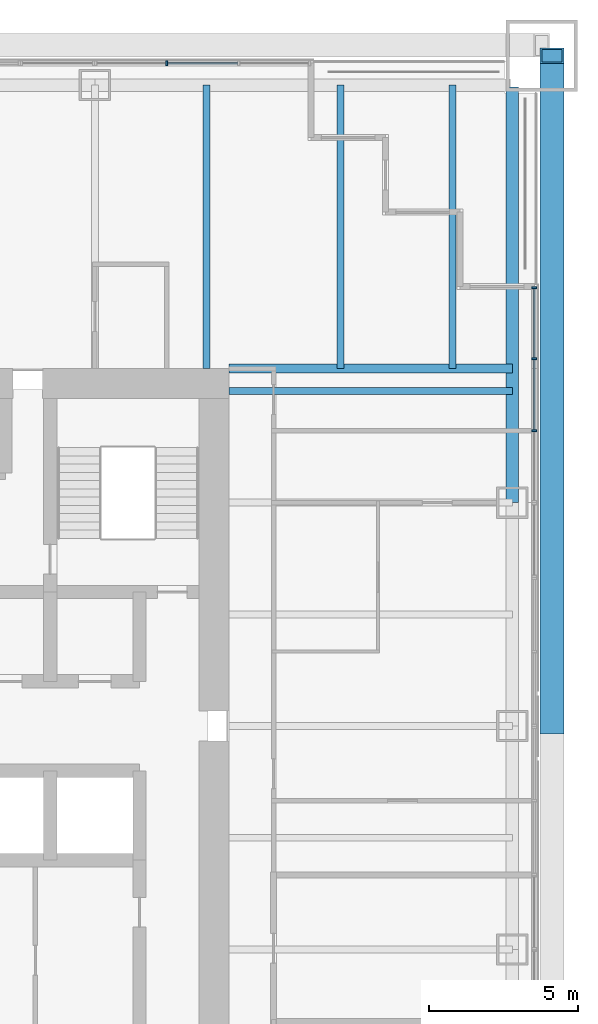
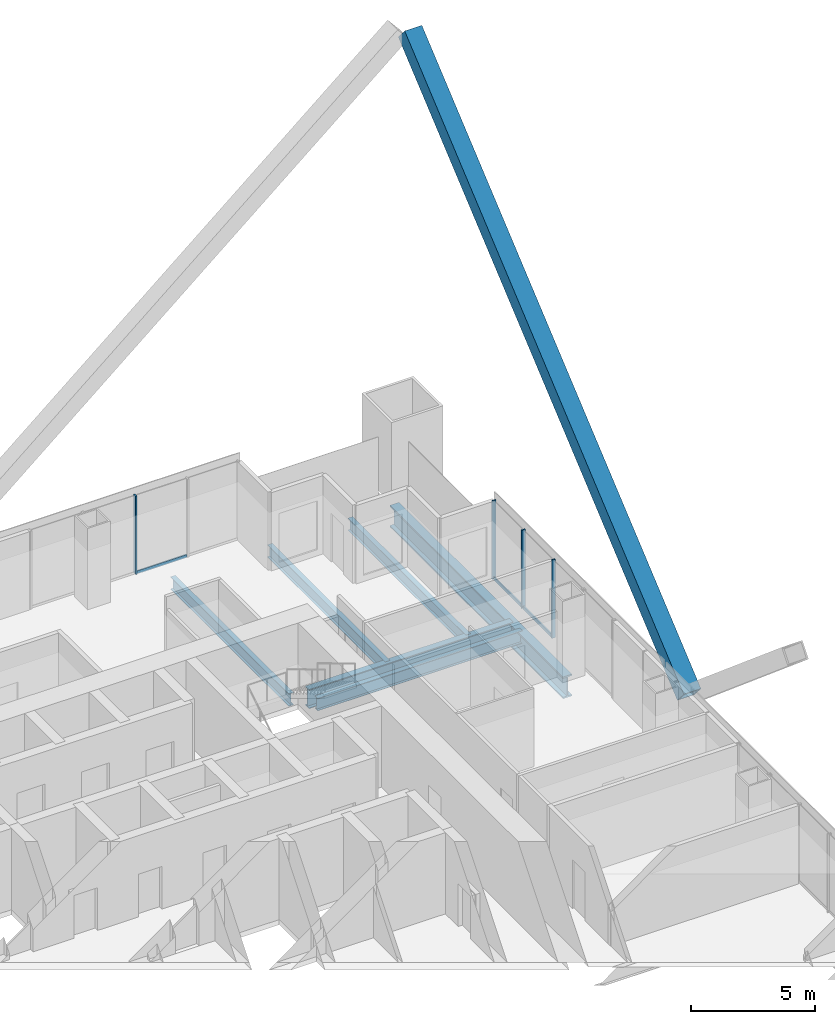
# One storey, part 11 of 19: 8 members, 6 beams, 2 elements without a shape of their own.
"""IFC4 building model written with IfcOpenShell, lengths in metres."""

from ifc_helpers import new_model, si_unit, direction, frame, origin, origin_2d, place, context, subcontext, project, spatial, rectangle, hollow_rectangle, i_section, extrude, material, material_profile, profile_set, type_object, element, aggregate, save


model = new_model("IFC4")

# Units and contexts
model_context = context("Model", 3, precision=1e-05, world=origin(), true_north=direction((0.0, 1.0)))
body_context = subcontext(model_context, "Body", "Model", "MODEL_VIEW")
ifc_project = project(units=[si_unit("LENGTHUNIT", "METRE"), si_unit("AREAUNIT", "SQUARE_METRE"), si_unit("VOLUMEUNIT", "CUBIC_METRE"), si_unit("PLANEANGLEUNIT", "RADIAN"), si_unit("MASSUNIT", "GRAM", prefix="KILO")], contexts=[model_context])

# Site, building, storey
site_placement = place(None, origin())
site = spatial("IfcSite", under=ifc_project, at=site_placement, CompositionType="ELEMENT")
building_placement = place(site_placement, origin())
building = spatial("IfcBuilding", under=site, at=building_placement, Name="Tarangal Relay Tower", CompositionType="ELEMENT")
storey_placement = place(building_placement, frame((0.0, 0.0, 193.89990234375)))
storey = spatial("IfcBuildingStorey", under=building, at=storey_placement, Name="L40", CompositionType="ELEMENT", Elevation=193.89990234375)

# Beams
ifc_material_1 = material(Name="Steel ASTM A992", Category="steel")
ifc_material_profile_1 = material_profile(ifc_material_1, i_section(OverallWidth=0.227783203125, OverallDepth=0.60205078125, WebThickness=0.010498046875, FlangeThickness=0.014892578125, at=origin_2d()), Name="W24X68")
ifc_profile_set_1 = profile_set([ifc_material_profile_1], Name="Steel ASTM A992")
beam_type_1 = type_object("IfcBeamType", Name="Corner beam W24X68", PredefinedType="JOIST", material=ifc_profile_set_1)
for number, where, z_axis, x_axis, name in (
    (1, (15.75, 12.0, -0.450927734375), (0.0, 1.0, 0.0), (-1.0, 0.0, 0.0), "Corner beam CB11 N L40"),
    (2, (19.5, 12.0, -0.450927734375), (0.0, 1.0, 0.0), (-1.0, 0.0, 0.0), "Corner beam CB11 N L40"),
):
    element("IfcBeam", number, at=place(storey_placement, frame(where, z_axis=z_axis, x_axis=x_axis)), inside=storey, type_object=beam_type_1, Name=name, PredefinedType="JOIST", context=body_context, shape_type="SweptSolid", body=[
        extrude(i_section(OverallWidth=0.227783203125, OverallDepth=0.60205078125, WebThickness=0.010498046875, FlangeThickness=0.014892578125, at=origin_2d()), origin(), (0.0, 0.0, 1.0), 9.514892578125),
    ])
ifc_material_profile_2 = material_profile(ifc_material_1, i_section(OverallWidth=0.307373046875, OverallDepth=0.9423828125, WebThickness=0.022216796875, FlangeThickness=0.039794921875, at=origin_2d()), Name="W36X232")
ifc_profile_set_2 = profile_set([ifc_material_profile_2], Name="Steel ASTM A992")
beam_type_2 = type_object("IfcBeamType", Name="Corner girder W36X232", PredefinedType="BEAM", material=ifc_profile_set_2)
beam_1_placement = place(storey_placement, frame((12.0, 12.0, -0.62109375), z_axis=(1.0, 0.0, 0.0), x_axis=(0.0, 1.0, 0.0)))
element("IfcBeam", 3, at=beam_1_placement, inside=storey, type_object=beam_type_2, Name="Corner girder CG4 N L40", PredefinedType="BEAM", context=body_context, shape_type="SweptSolid", body=[
    extrude(i_section(OverallWidth=0.307373046875, OverallDepth=0.9423828125, WebThickness=0.022216796875, FlangeThickness=0.039794921875, at=origin_2d()), origin(), (0.0, 0.0, 1.0), 9.514892578125),
])
ifc_material_profile_3 = material_profile(ifc_material_1, i_section(OverallWidth=0.41650390625, OverallDepth=1.0693359375, WebThickness=0.0390625, FlangeThickness=0.070068359375, at=origin_2d()), Name="W40X503")
ifc_profile_set_3 = profile_set([ifc_material_profile_3], Name="Steel ASTM A992")
beam_type_3 = type_object("IfcBeamType", Name="Edge girder W40X503", PredefinedType="SPANDREL", material=ifc_profile_set_3)
beam_2_placement = place(storey_placement, frame((21.514892578125, 21.449951171875, -0.6845703125), z_axis=(0.0, -1.0, 0.0), x_axis=(1.0, 0.0, 0.0)))
element("IfcBeam", 4, at=beam_2_placement, inside=storey, type_object=beam_type_3, Name="Edge girder EG8 E L40", PredefinedType="SPANDREL", context=body_context, shape_type="SweptSolid", body=[
    extrude(i_section(OverallWidth=0.41650390625, OverallDepth=1.0693359375, WebThickness=0.0390625, FlangeThickness=0.070068359375, at=origin_2d()), origin(), (0.0, 0.0, 1.0), 13.949951171875),
])
ifc_material_profile_4 = material_profile(ifc_material_1, i_section(OverallWidth=0.22900390625, OverallDepth=0.612060546875, WebThickness=0.011962890625, FlangeThickness=0.01953125, at=origin_2d()), Name="W24X84")
ifc_profile_set_4 = profile_set([ifc_material_profile_4], Name="Steel ASTM A992")
beam_type_4 = type_object("IfcBeamType", Name="Floor beam W24X84", PredefinedType="BEAM", material=ifc_profile_set_4)
for number, where, z_axis, x_axis, name in (
    (5, (11.25, 12.0, -0.455810546875), (0.0, 1.0, 0.0), (-1.0, 0.0, 0.0), "Floor beam RB12 N L40"),
    (6, (12.0, 11.25, -0.455810546875), (1.0, 0.0, 0.0), (0.0, 1.0, 0.0), "Floor beam RB12 E L40"),
):
    element("IfcBeam", number, at=place(storey_placement, frame(where, z_axis=z_axis, x_axis=x_axis)), inside=storey, type_object=beam_type_4, Name=name, PredefinedType="BEAM", context=body_context, shape_type="SweptSolid", body=[
        extrude(i_section(OverallWidth=0.22900390625, OverallDepth=0.612060546875, WebThickness=0.011962890625, FlangeThickness=0.01953125, at=origin_2d()), origin(), (0.0, 0.0, 1.0), 9.514892578125),
    ])

# Member
ifc_material_2 = material(Name="Steel ASTM A572 Grade 50", Category="steel")
ifc_material_profile_5 = material_profile(ifc_material_2, hollow_rectangle(XDim=0.800048828125, YDim=0.800048828125, WallThickness=0.06494140625, at=origin_2d()), Name="BOX800X800X65")
ifc_profile_set_5 = profile_set([ifc_material_profile_5], Name="Steel ASTM A572 Grade 50")
member_type_1 = type_object("IfcMemberType", Name="Mega brace BOX800X800X65", PredefinedType="BRACE", material=ifc_profile_set_5)
member_1_placement = place(storey_placement, frame((22.85009765625, 0.0, 3.0), z_axis=(0.0, 0.764029915847, 0.645180817826), x_axis=(-1.0, 0.0, 0.0)))
element("IfcMember", 7, at=member_1_placement, inside=storey, type_object=member_type_1, Name="Mega brace MB3 E face module 1", PredefinedType="BRACE", context=body_context, shape_type="SweptSolid", body=[
    extrude(hollow_rectangle(XDim=0.800048828125, YDim=0.800048828125, WallThickness=0.06494140625, at=origin_2d()), origin(), (0.0, 0.0, 1.0), 29.44921875),
])

# Curtain wall, member
ifc_material_3 = material(Name="Unitised curtain wall, dark glass and black aluminium", Category="aluminium")
curtain_wall_type = type_object("IfcCurtainWallType", Name="Curtain wall CW-A", PredefinedType="USERDEFINED", material=ifc_material_3)
curtain_wall_1_placement = place(storey_placement, origin())
curtain_wall_1 = element("IfcCurtainWall", 8, at=curtain_wall_1_placement, inside=storey, type_object=curtain_wall_type, Name="Curtain wall CW-A N facade L40", ObjectType="UNITISED CURTAIN WALL", PredefinedType="USERDEFINED")
ifc_material_4 = material(Name="Black anodised aluminium mullion", Category="aluminium")
ifc_material_profile_6 = material_profile(ifc_material_4, rectangle(XDim=0.175048828125, YDim=0.06494140625, at=origin_2d()), Name="CW-AM 65X175")
ifc_profile_set_6 = profile_set([ifc_material_profile_6], Name="Black anodised aluminium mullion")
member_type_2 = type_object("IfcMemberType", Name="Mullion CW-A 65 x 175", PredefinedType="MULLION", material=ifc_profile_set_6)
member_2_placement = place(storey_placement, frame((9.916748046875, 22.25, 0.0), z_axis=(0.0, 0.0, 1.0), x_axis=(0.0, 1.0, 0.0)))
member_2 = element("IfcMember", 9, at=member_2_placement, type_object=member_type_2, Name="CW-A mullion 2", PredefinedType="MULLION", context=body_context, shape_type="SweptSolid", body=[
    extrude(rectangle(XDim=0.175048828125, YDim=0.06494140625, at=origin_2d()), origin(), (0.0, 0.0, 1.0), 3.85009765625),
])

# Curtain wall, members
curtain_wall_2_placement = place(storey_placement, origin())
curtain_wall_2 = element("IfcCurtainWall", 10, at=curtain_wall_2_placement, inside=storey, type_object=curtain_wall_type, Name="Curtain wall CW-A E facade L40", ObjectType="UNITISED CURTAIN WALL", PredefinedType="USERDEFINED")
member_3_placement = place(storey_placement, frame((22.25, 14.717529296875, 0.0), z_axis=(0.0, 0.0, 1.0), x_axis=(1.0, 0.0, 0.0)))
member_3 = element("IfcMember", 11, at=member_3_placement, type_object=member_type_2, Name="CW-A mullion 1", PredefinedType="MULLION", context=body_context, shape_type="SweptSolid", body=[
    extrude(rectangle(XDim=0.175048828125, YDim=0.06494140625, at=origin_2d()), origin(), (0.0, 0.0, 1.0), 3.85009765625),
])
member_4_placement = place(storey_placement, frame((22.25, 12.333251953125, 0.0), z_axis=(0.0, 0.0, 1.0), x_axis=(1.0, 0.0, 0.0)))
member_4 = element("IfcMember", 12, at=member_4_placement, type_object=member_type_2, Name="CW-A mullion 2", PredefinedType="MULLION", context=body_context, shape_type="SweptSolid", body=[
    extrude(rectangle(XDim=0.175048828125, YDim=0.06494140625, at=origin_2d()), origin(), (0.0, 0.0, 1.0), 3.85009765625),
])
member_5_placement = place(storey_placement, frame((22.25, 9.916748046875, 0.0), z_axis=(0.0, 0.0, 1.0), x_axis=(1.0, 0.0, 0.0)))
member_5 = element("IfcMember", 13, at=member_5_placement, type_object=member_type_2, Name="CW-A mullion 3", PredefinedType="MULLION", context=body_context, shape_type="SweptSolid", body=[
    extrude(rectangle(XDim=0.175048828125, YDim=0.06494140625, at=origin_2d()), origin(), (0.0, 0.0, 1.0), 3.85009765625),
])

# Member
ifc_material_5 = material(Name="Black anodised aluminium transom", Category="aluminium")
ifc_material_profile_7 = material_profile(ifc_material_5, rectangle(XDim=0.06494140625, YDim=0.14990234375, at=origin_2d()), Name="CW-AT 65X150")
ifc_profile_set_7 = profile_set([ifc_material_profile_7], Name="Black anodised aluminium transom")
member_type_3 = type_object("IfcMemberType", Name="Transom CW-A 65 x 150", PredefinedType="USERDEFINED", material=ifc_profile_set_7)
member_6_placement = place(storey_placement, frame((9.94921875, 22.25, 0.03271484375), z_axis=(1.0, 0.0, 0.0), x_axis=(0.0, 1.0, 0.0)))
member_6 = element("IfcMember", 14, at=member_6_placement, type_object=member_type_3, Name="CW-A transom 2.1", ObjectType="TRANSOM", PredefinedType="USERDEFINED", context=body_context, shape_type="SweptSolid", body=[
    extrude(rectangle(XDim=0.06494140625, YDim=0.14990234375, at=origin_2d()), origin(), (0.0, 0.0, 1.0), 2.3515625),
])

aggregate(curtain_wall_1, [member_2, member_6])

member_7_placement = place(storey_placement, frame((22.25, 14.68505859375, 0.03271484375), z_axis=(0.0, -1.0, 0.0), x_axis=(1.0, 0.0, 0.0)))
member_7 = element("IfcMember", 15, at=member_7_placement, type_object=member_type_3, Name="CW-A transom 1.1", ObjectType="TRANSOM", PredefinedType="USERDEFINED", context=body_context, shape_type="SweptSolid", body=[
    extrude(rectangle(XDim=0.06494140625, YDim=0.14990234375, at=origin_2d()), origin(), (0.0, 0.0, 1.0), 2.3193359375),
])

member_8_placement = place(storey_placement, frame((22.25, 12.30078125, 0.03271484375), z_axis=(0.0, -1.0, 0.0), x_axis=(1.0, 0.0, 0.0)))
member_8 = element("IfcMember", 16, at=member_8_placement, type_object=member_type_3, Name="CW-A transom 2.1", ObjectType="TRANSOM", PredefinedType="USERDEFINED", context=body_context, shape_type="SweptSolid", body=[
    extrude(rectangle(XDim=0.06494140625, YDim=0.14990234375, at=origin_2d()), origin(), (0.0, 0.0, 1.0), 2.3515625),
])

aggregate(curtain_wall_2, [member_3, member_4, member_5, member_7, member_8])

save(model, "model.ifc")
